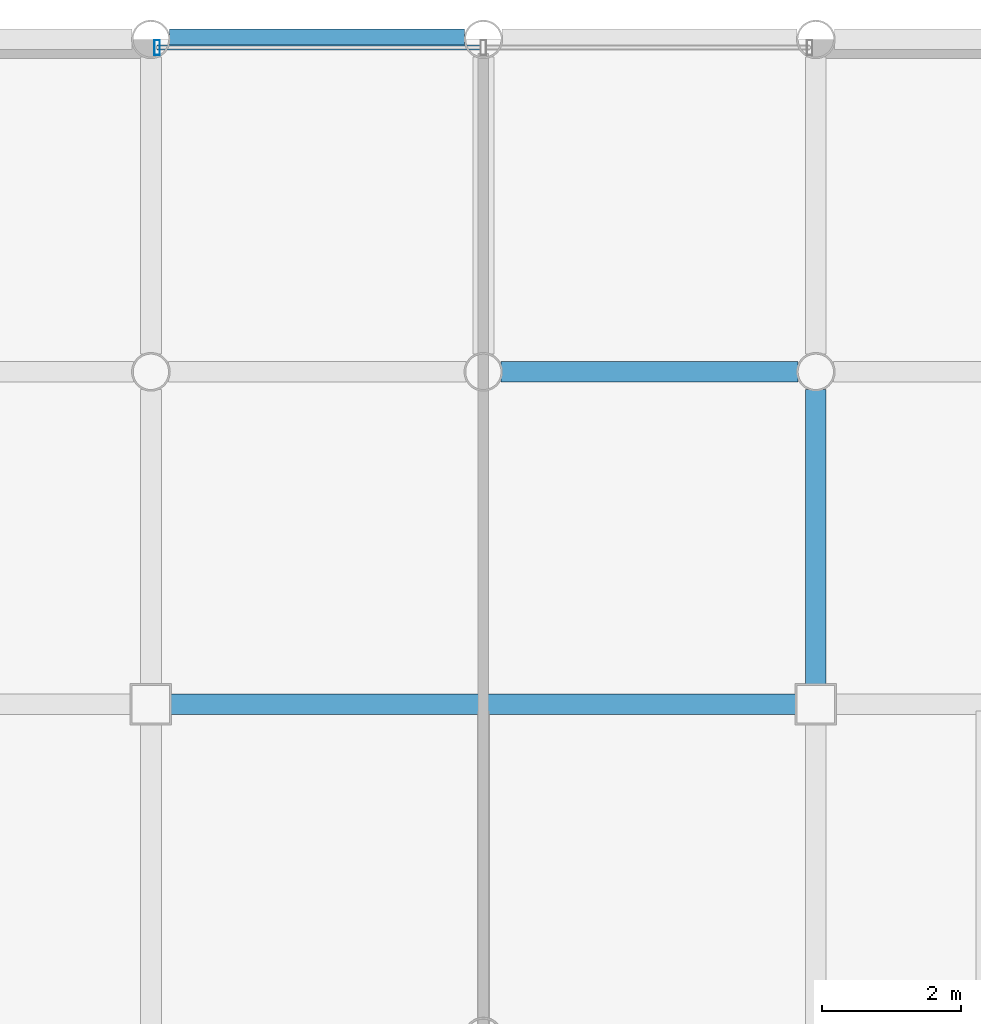
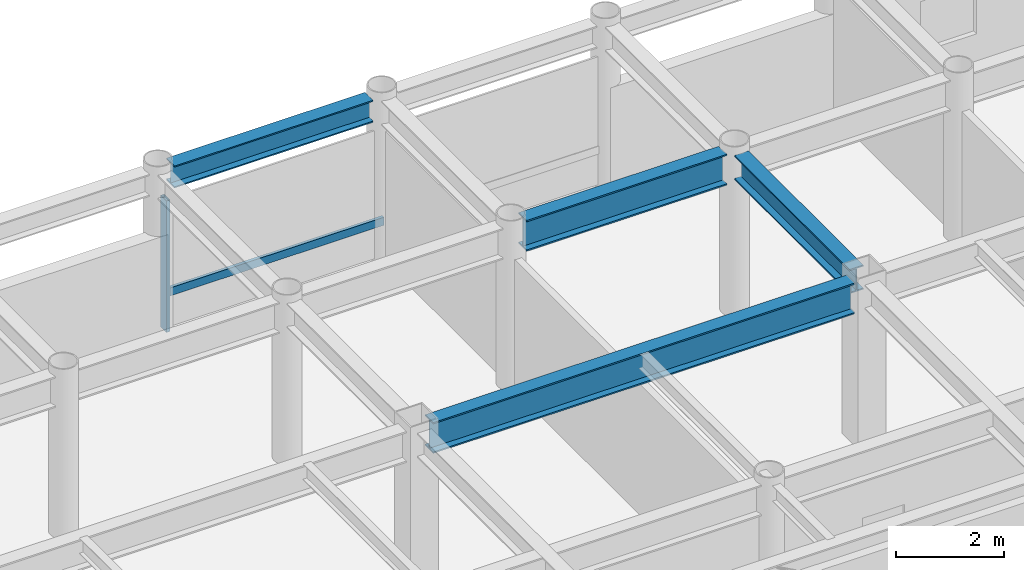
# One storey, part 14 of 22: 4 beams, 2 members, 1 element without a shape of its own.
"""IFC4 building model written with IfcOpenShell, lengths in metres."""

from ifc_helpers import new_model, si_unit, direction, frame, origin, origin_2d, place, context, subcontext, project, spatial, hollow_rectangle, i_section, extrude, material, layer, layer_set, material_profile, profile_set, type_object, element, aggregate, save


model = new_model("IFC4")

# Units and contexts
model_context = context("Model", 3, precision=1e-05, world=origin(), true_north=direction((0.0, 1.0)))
body_context = subcontext(model_context, "Body", "Model", "MODEL_VIEW")
ifc_project = project(units=[si_unit("LENGTHUNIT", "METRE"), si_unit("AREAUNIT", "SQUARE_METRE"), si_unit("VOLUMEUNIT", "CUBIC_METRE"), si_unit("PLANEANGLEUNIT", "RADIAN"), si_unit("MASSUNIT", "GRAM", prefix="KILO")], contexts=[model_context])

# Site, building, storey
site_placement = place(None, origin())
site = spatial("IfcSite", under=ifc_project, at=site_placement, CompositionType="ELEMENT")
building_placement = place(site_placement, origin())
building = spatial("IfcBuilding", under=site, at=building_placement, Name="Kallvorn Hotel Tower", CompositionType="ELEMENT")
storey_placement = place(building_placement, frame((0.0, 0.0, 264.64990234375)))
storey = spatial("IfcBuildingStorey", under=building, at=storey_placement, Name="L66", CompositionType="ELEMENT", Elevation=264.64990234375)

# Beams
ifc_material_1 = material(Name="Structural steel S355JR", Category="steel")
ifc_material_profile_1 = material_profile(ifc_material_1, i_section(OverallWidth=0.300048828125, OverallDepth=0.5, WebThickness=0.014404296875, FlangeThickness=0.028076171875, at=origin_2d()), Name="HE 500 B")
ifc_profile_set_1 = profile_set([ifc_material_profile_1], Name="Structural steel S355JR")
beam_type_1 = type_object("IfcBeamType", Name="BM_HE500B", PredefinedType="SPANDREL", material=ifc_profile_set_1)
beam_1_placement = place(storey_placement, frame((-4.530517578125, 24.0, 3.420166015625), z_axis=(1.0, 0.0, 0.0), x_axis=(0.0, 1.0, 0.0)))
element("IfcBeam", 1, at=beam_1_placement, inside=storey, type_object=beam_type_1, Name="L67 Perimeter Spandrel 168", PredefinedType="SPANDREL", context=body_context, shape_type="SweptSolid", body=[
    extrude(i_section(OverallWidth=0.300048828125, OverallDepth=0.5, WebThickness=0.014404296875, FlangeThickness=0.028076171875, at=origin_2d()), origin(), (0.0, 0.0, 1.0), 4.260986328125),
])
ifc_material_2 = material(Name="Structural steel S355JR", Category="steel")
ifc_material_profile_2 = material_profile(ifc_material_2, i_section(OverallWidth=0.300048828125, OverallDepth=0.550048828125, WebThickness=0.014892578125, FlangeThickness=0.029052734375, at=origin_2d()), Name="HE 550 B")
ifc_profile_set_2 = profile_set([ifc_material_profile_2], Name="Structural steel S355JR")
beam_type_2 = type_object("IfcBeamType", Name="BM_HE550B", PredefinedType="SPANDREL", material=ifc_profile_set_2)
beam_2_placement = place(storey_placement, frame((4.800048828125, 14.675048828125, 3.39501953125), z_axis=(0.0, 1.0, 0.0), x_axis=(-1.0, 0.0, 0.0)))
element("IfcBeam", 2, at=beam_2_placement, inside=storey, type_object=beam_type_2, Name="L67 Primary Y-Girder 117", PredefinedType="SPANDREL", context=body_context, shape_type="SweptSolid", body=[
    extrude(i_section(OverallWidth=0.300048828125, OverallDepth=0.550048828125, WebThickness=0.014892578125, FlangeThickness=0.029052734375, at=origin_2d()), origin(), (0.0, 0.0, 1.0), 4.2705078125),
])
ifc_material_3 = material(Name="Structural steel S355JR", Category="steel")
ifc_material_profile_3 = material_profile(ifc_material_3, i_section(OverallWidth=0.300048828125, OverallDepth=0.699951171875, WebThickness=0.01708984375, FlangeThickness=0.031982421875, at=origin_2d()), Name="HE 700 B")
ifc_profile_set_3 = profile_set([ifc_material_profile_3], Name="Structural steel S355JR")
beam_type_3 = type_object("IfcBeamType", Name="BM_HE700B", PredefinedType="BEAM", material=ifc_profile_set_3)
beam_3_placement = place(storey_placement, frame((-4.52490234375, 14.39990234375, 3.320068359375), z_axis=(1.0, 0.0, 0.0), x_axis=(0.0, 1.0, 0.0)))
element("IfcBeam", 3, at=beam_3_placement, inside=storey, type_object=beam_type_3, Name="L67 Primary X-Girder 55", PredefinedType="BEAM", context=body_context, shape_type="SweptSolid", body=[
    extrude(i_section(OverallWidth=0.300048828125, OverallDepth=0.699951171875, WebThickness=0.01708984375, FlangeThickness=0.031982421875, at=origin_2d()), origin(), (0.0, 0.0, 1.0), 9.0498046875),
])
beam_4_placement = place(storey_placement, frame((0.25439453125, 19.199951171875, 3.320068359375), z_axis=(1.0, 0.0, 0.0), x_axis=(0.0, 1.0, 0.0)))
element("IfcBeam", 4, at=beam_4_placement, inside=storey, type_object=beam_type_3, Name="L67 Primary X-Girder 67", PredefinedType="BEAM", context=body_context, shape_type="SweptSolid", body=[
    extrude(i_section(OverallWidth=0.300048828125, OverallDepth=0.699951171875, WebThickness=0.01708984375, FlangeThickness=0.031982421875, at=origin_2d()), origin(), (0.0, 0.0, 1.0), 4.291015625),
])

# Curtain wall, members
ifc_material_4 = material(Name="Thermally broken black-anodised aluminium AA 6063-T6", Category="aluminium")
ifc_layer = layer(ifc_material_4, 0.22998046875)
ifc_layer_set = layer_set([ifc_layer], Name="CW_SYS_5_HOTEL_HIGH")
curtain_wall_type = type_object("IfcCurtainWallType", Name="CW_SYS_5_HOTEL_HIGH", PredefinedType="USERDEFINED", material=ifc_layer_set)
curtain_wall_placement = place(storey_placement, origin())
curtain_wall = element("IfcCurtainWall", 5, at=curtain_wall_placement, inside=storey, type_object=curtain_wall_type, Name="L66 Dark-Glass Curtain Wall CW-L66-NC", ObjectType="UNITISED CURTAIN WALL", PredefinedType="USERDEFINED")
ifc_material_5 = material(Name="Thermally broken black-anodised aluminium AA 6063-T6", Category="aluminium")
ifc_material_profile_4 = material_profile(ifc_material_5, hollow_rectangle(XDim=0.080078125, YDim=0.219970703125, WallThickness=0.0048828125, at=origin_2d()), Name="MUL 220x80")
ifc_profile_set_4 = profile_set([ifc_material_profile_4], Name="Thermally broken black-anodised aluminium AA 6063-T6")
member_type_1 = type_object("IfcMemberType", Name="CW_MULLION_220x80", PredefinedType="MULLION", material=ifc_profile_set_4)
member_1_placement = place(storey_placement, frame((-4.7099609375, 23.8798828125, 0.02001953125), z_axis=(0.0, 0.0, 1.0), x_axis=(1.0, 0.0, 0.0)))
member_1 = element("IfcMember", 6, at=member_1_placement, type_object=member_type_1, Name="CW-L66-NC Mullion 00", PredefinedType="MULLION", context=body_context, shape_type="SweptSolid", body=[
    extrude(hollow_rectangle(XDim=0.080078125, YDim=0.219970703125, WallThickness=0.0048828125, at=origin_2d()), origin(), (0.0, 0.0, 1.0), 2.97998046875),
])
ifc_material_6 = material(Name="Thermally broken black-anodised aluminium AA 6063-T6", Category="aluminium")
ifc_material_profile_5 = material_profile(ifc_material_6, hollow_rectangle(XDim=0.070068359375, YDim=0.179931640625, WallThickness=0.00390625, at=origin_2d()), Name="TRN 180x70")
ifc_profile_set_5 = profile_set([ifc_material_profile_5], Name="Thermally broken black-anodised aluminium AA 6063-T6")
member_type_2 = type_object("IfcMemberType", Name="CW_TRANSOM_180x70", PredefinedType="USERDEFINED", material=ifc_profile_set_5)
member_2_placement = place(storey_placement, frame((-4.7099609375, 23.8798828125, 0.85009765625), z_axis=(1.0, 0.0, 0.0), x_axis=(0.0, 1.0, 0.0)))
member_2 = element("IfcMember", 7, at=member_2_placement, type_object=member_type_2, Name="CW-L66-NC Transom 00M", ObjectType="TRANSOM", PredefinedType="USERDEFINED", context=body_context, shape_type="SweptSolid", body=[
    extrude(hollow_rectangle(XDim=0.070068359375, YDim=0.179931640625, WallThickness=0.00390625, at=origin_2d()), origin(), (0.0, 0.0, 1.0), 4.669921875),
])
aggregate(curtain_wall, [member_1, member_2])

save(model, "model.ifc")
